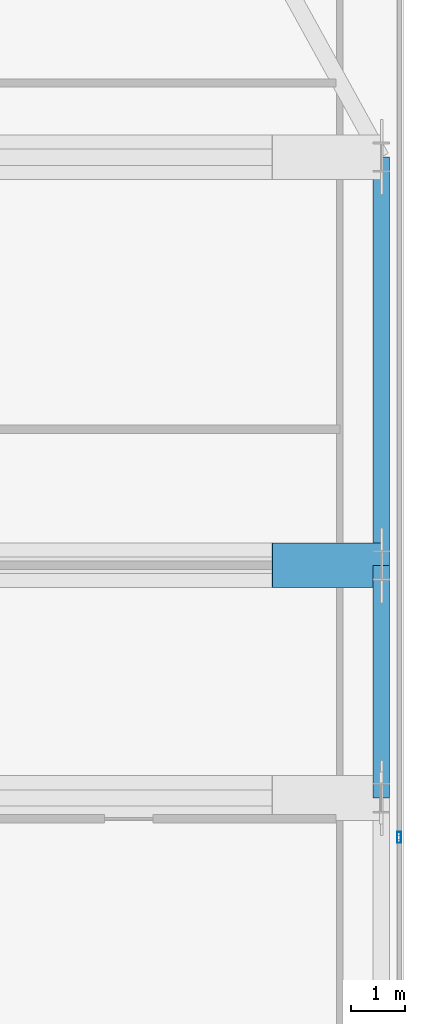
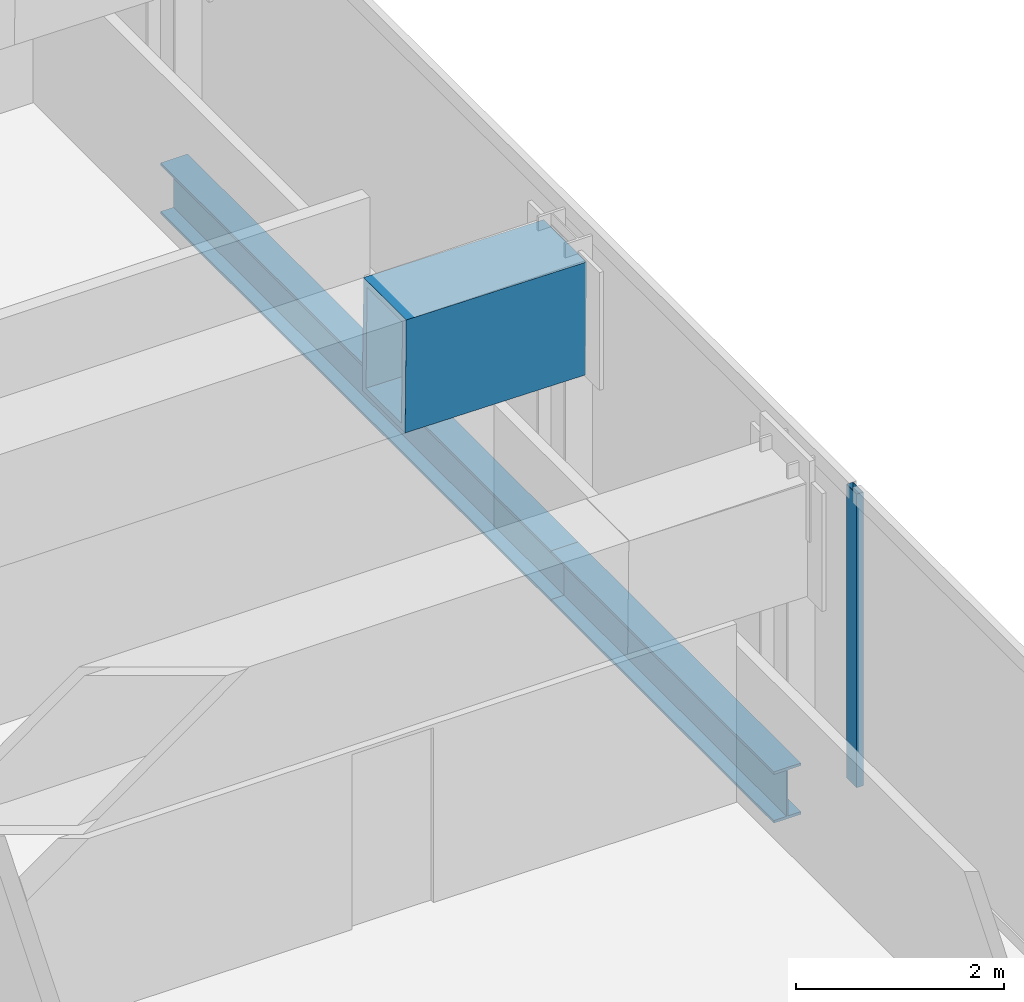
# One storey, part 21 of 30: 3 beams, 1 member, 1 element without a shape of its own.
"""IFC4 building model written with IfcOpenShell, lengths in metres."""

from ifc_helpers import new_model, si_unit, direction, frame, origin, origin_2d, place, context, subcontext, project, spatial, hollow_rectangle, i_section, extrude, material, material_profile, profile_set, type_object, element, aggregate, save


model = new_model("IFC4")

# Units and contexts
model_context = context("Model", 3, precision=1e-05, world=origin(), true_north=direction((0.0, 1.0)))
body_context = subcontext(model_context, "Body", "Model", "MODEL_VIEW")
ifc_project = project(units=[si_unit("LENGTHUNIT", "METRE"), si_unit("AREAUNIT", "SQUARE_METRE"), si_unit("VOLUMEUNIT", "CUBIC_METRE"), si_unit("PLANEANGLEUNIT", "RADIAN"), si_unit("MASSUNIT", "GRAM", prefix="KILO")], contexts=[model_context])

# Site, building, storey
site_placement = place(None, origin())
site = spatial("IfcSite", under=ifc_project, at=site_placement, CompositionType="ELEMENT")
building_placement = place(site_placement, origin())
building = spatial("IfcBuilding", under=site, at=building_placement, Name="Khoronbel Lancet Exchange", CompositionType="ELEMENT")
storey_placement = place(building_placement, frame((0.0, 0.0, 132.60009765625)))
storey = spatial("IfcBuildingStorey", under=building, at=storey_placement, Name="L32", CompositionType="ELEMENT", Elevation=132.60009765625)

# Beams
ifc_material_1 = material(Name="Steel S355", Category="steel")
ifc_material_profile_1 = material_profile(ifc_material_1, i_section(OverallWidth=0.300048828125, OverallDepth=0.60009765625, WebThickness=0.015380859375, FlangeThickness=0.030029296875, at=origin_2d()), Name="HEB 600")
ifc_profile_set_1 = profile_set([ifc_material_profile_1], Name="Steel S355")
beam_type_1 = type_object("IfcBeamType", Name="BM-BSP2", PredefinedType="SPANDREL", material=ifc_profile_set_1)
beam_1_placement = place(storey_placement, frame((69.6298828125, 31.425048828125, -0.460205078125), z_axis=(0.0, 1.0, 0.0), x_axis=(-1.0, 0.0, 0.0)))
element("IfcBeam", 1, at=beam_1_placement, inside=storey, type_object=beam_type_1, Name="Level L32 perimeter spandrel beam SP13", PredefinedType="SPANDREL", context=body_context, shape_type="SweptSolid", body=[
    extrude(i_section(OverallWidth=0.300048828125, OverallDepth=0.60009765625, WebThickness=0.015380859375, FlangeThickness=0.030029296875, at=origin_2d()), origin(), (0.0, 0.0, 1.0), 4.27490234375),
])
beam_2_placement = place(storey_placement, frame((69.6298828125, 35.699951171875, -0.460205078125), z_axis=(0.0, 1.0, 0.0), x_axis=(-1.0, 0.0, 0.0)))
element("IfcBeam", 2, at=beam_2_placement, inside=storey, type_object=beam_type_1, Name="Level L32 perimeter spandrel beam SP14", PredefinedType="SPANDREL", context=body_context, shape_type="SweptSolid", body=[
    extrude(i_section(OverallWidth=0.300048828125, OverallDepth=0.60009765625, WebThickness=0.015380859375, FlangeThickness=0.030029296875, at=origin_2d()), origin(), (0.0, 0.0, 1.0), 7.5),
])
ifc_material_2 = material(Name="Steel S460", Category="steel")
ifc_material_profile_2 = material_profile(ifc_material_2, hollow_rectangle(XDim=0.820068359375, YDim=1.320068359375, WallThickness=0.070068359375, at=origin_2d()), Name="BOX 820x1320x70")
ifc_profile_set_2 = profile_set([ifc_material_profile_2], Name="Steel S460")
beam_type_2 = type_object("IfcBeamType", Name="BM-TG4", PredefinedType="USERDEFINED", material=ifc_profile_set_2)
beam_3_placement = place(storey_placement, frame((69.6298828125, 35.699951171875, 2.760009765625), z_axis=(-0.999951120325, 0.0, 0.009887212005), x_axis=(0.0, -1.0, 0.0)))
element("IfcBeam", 3, at=beam_3_placement, inside=storey, type_object=beam_type_2, Name="Setback transfer knee-brace girder L32-EC-3", ObjectType="TRANSFER GIRDER", PredefinedType="USERDEFINED", context=body_context, shape_type="SweptSolid", body=[
    extrude(hollow_rectangle(XDim=0.820068359375, YDim=1.320068359375, WallThickness=0.070068359375, at=origin_2d()), origin(), (0.0, 0.0, 1.0), 2.0),
])

# Curtain wall, member
ifc_material_3 = material(Name="Low-E Solar Control Insulating Glass", Category="glass")
curtain_wall_type = type_object("IfcCurtainWallType", Name="CW-4", PredefinedType="NOTDEFINED", material=ifc_material_3)
curtain_wall_placement = place(storey_placement, origin())
curtain_wall = element("IfcCurtainWall", 4, at=curtain_wall_placement, inside=storey, type_object=curtain_wall_type, Name="Unitised curtain wall CW-L32-E09", PredefinedType="NOTDEFINED")
ifc_material_4 = material(Name="Bronze-Anodised Aluminium 6063-T6", Category="aluminium")
ifc_material_profile_3 = material_profile(ifc_material_4, hollow_rectangle(XDim=0.074951171875, YDim=0.199951171875, WallThickness=0.0048828125, at=origin_2d()), Name="ALU MULLION 75x200")
ifc_profile_set_3 = profile_set([ifc_material_profile_3], Name="Bronze-Anodised Aluminium 6063-T6")
member_type = type_object("IfcMemberType", Name="MEM-CWM2", PredefinedType="MULLION", material=ifc_profile_set_3)
member_placement = place(storey_placement, frame((69.9599609375, 30.699951171875, 0.0), z_axis=(0.0, 0.0, 1.0), x_axis=(1.0, 0.0, 0.0)))
member = element("IfcMember", 5, at=member_placement, type_object=member_type, Name="CW4 mullion 2", PredefinedType="MULLION", context=body_context, shape_type="SweptSolid", body=[
    extrude(hollow_rectangle(XDim=0.074951171875, YDim=0.199951171875, WallThickness=0.0048828125, at=origin_2d()), origin(), (0.0, 0.0, 1.0), 3.43994140625),
])
aggregate(curtain_wall, [member])

save(model, "model.ifc")
